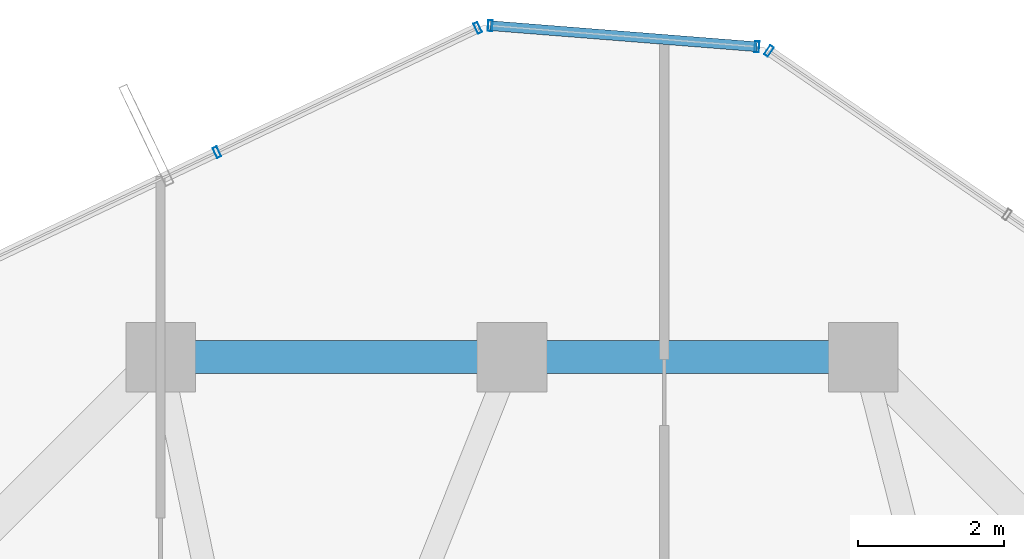
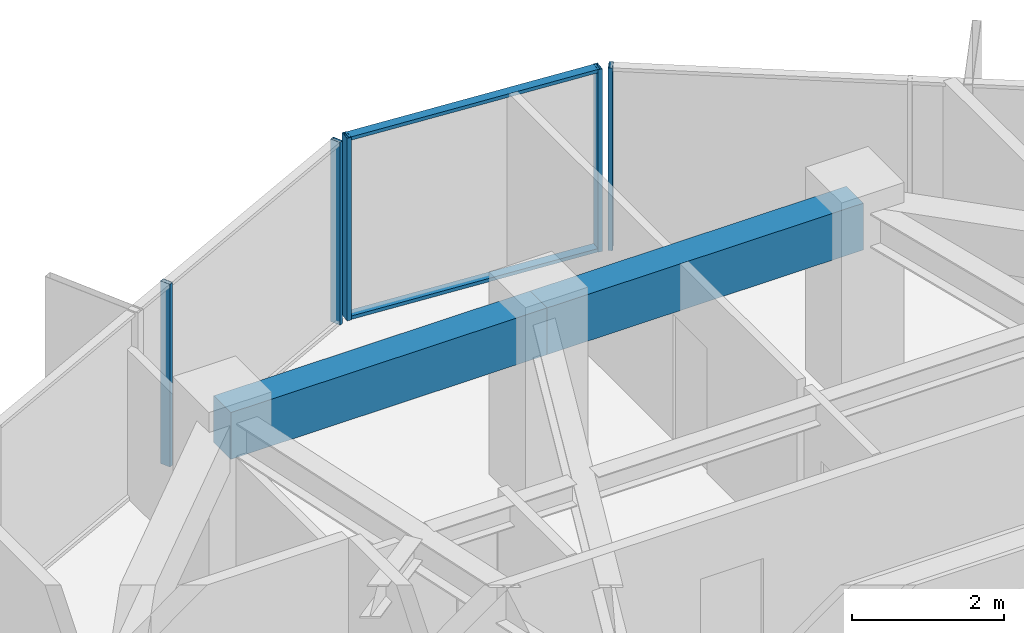
# One storey, part 20 of 29: 7 members, 2 beams, 3 elements without a shape of their own.
"""IFC4 building model written with IfcOpenShell, lengths in metres."""

from ifc_helpers import new_model, si_unit, direction, frame, origin, origin_2d, place, context, subcontext, project, spatial, rectangle, hollow_rectangle, extrude, source, transform, mapped, material, layer, layer_set, material_profile, profile_set, type_object, element, aggregate, save


model = new_model("IFC4")

# Units and contexts
model_context = context("Model", 3, precision=1e-05, world=origin(), true_north=direction((0.0, 1.0)))
body_context = subcontext(model_context, "Body", "Model", "MODEL_VIEW")
ifc_project = project(units=[si_unit("LENGTHUNIT", "METRE"), si_unit("AREAUNIT", "SQUARE_METRE"), si_unit("VOLUMEUNIT", "CUBIC_METRE"), si_unit("PLANEANGLEUNIT", "RADIAN"), si_unit("MASSUNIT", "GRAM", prefix="KILO")], contexts=[model_context])

# Site, building, storey
site_placement = place(None, origin())
site = spatial("IfcSite", under=ifc_project, at=site_placement, CompositionType="ELEMENT")
building_placement = place(site_placement, origin())
building = spatial("IfcBuilding", under=site, at=building_placement, Name="Veraguas Prism Commons", CompositionType="ELEMENT")
storey_placement = place(building_placement, frame((0.0, 0.0, 222.14990234375)))
storey = spatial("IfcBuildingStorey", under=building, at=storey_placement, Name="L63", CompositionType="ELEMENT", Elevation=222.14990234375)

# Beams
ifc_material_1 = material(Name="Concrete C50/60", Category="concrete")
ifc_material_profile_1 = material_profile(ifc_material_1, rectangle(XDim=0.449951171875, YDim=0.75, at=origin_2d()), Name="RC450X750")
ifc_profile_set_1 = profile_set([ifc_material_profile_1], Name="Concrete C50/60")
beam_type = type_object("IfcBeamType", Name="Perimeter Spandrel Upper RC 450x750", PredefinedType="SPANDREL", material=ifc_profile_set_1)
for number, where, z_axis, x_axis, name in (
    (1, (28.800048828125, 38.89990234375, 2.55517578125), (-1.0, 0.0, 0.0), (0.0, -1.0, 0.0), "Perimeter Spandrel Beam L63-SP04"),
    (2, (24.0, 38.89990234375, 2.55517578125), (-1.0, 0.0, 0.0), (0.0, -1.0, 0.0), "Perimeter Spandrel Beam L63-SP05"),
):
    element("IfcBeam", number, at=place(storey_placement, frame(where, z_axis=z_axis, x_axis=x_axis)), inside=storey, type_object=beam_type, Name=name, PredefinedType="SPANDREL", context=body_context, shape_type="SweptSolid", body=[
        extrude(rectangle(XDim=0.449951171875, YDim=0.75, at=origin_2d()), origin(), (0.0, 0.0, 1.0), 4.800048828125),
    ])

# Curtain wall, members
ifc_material_2 = material(Name="Anodised aluminium EN AW-6063 T6", Category="aluminium")
ifc_layer = layer(ifc_material_2, 0.14990234375, Name="Unitised Flush Curtain Wall Zone 3", Category="aluminium")
ifc_layer_set = layer_set([ifc_layer], Name="Anodised aluminium EN AW-6063 T6")
curtain_wall_type = type_object("IfcCurtainWallType", Name="Unitised Flush Curtain Wall Zone 3", PredefinedType="NOTDEFINED", material=ifc_layer_set)
curtain_wall_1_placement = place(storey_placement, origin())
curtain_wall_1 = element("IfcCurtainWall", 3, at=curtain_wall_1_placement, inside=storey, type_object=curtain_wall_type, Name="Chamfer Curtain Wall L63-C2", PredefinedType="NOTDEFINED")
ifc_material_profile_2 = material_profile(ifc_material_2, hollow_rectangle(XDim=0.054931640625, YDim=0.135009765625, WallThickness=0.0029296875, at=origin_2d()), Name="AL55X135X3")
ifc_profile_set_2 = profile_set([ifc_material_profile_2], Name="Anodised aluminium EN AW-6063 T6")
member_type_1 = type_object("IfcMemberType", Name="Curtain Wall Transom Standard AL 55x135x3", PredefinedType="USERDEFINED", material=ifc_profile_set_2)
shared_shape_1 = source(origin(), body_context, "Body", "SweptSolid", [
    extrude(hollow_rectangle(XDim=0.054931640625, YDim=0.135009765625, WallThickness=0.0029296875, at=origin_2d()), origin(), (0.0, 0.0, 1.0), 3.654541015625),
])
member_1_placement = place(storey_placement, frame((27.345947265625, 43.138916015625, 0.027587890625), z_axis=(-0.996887933068, 0.07883177597, 0.0), x_axis=(0.0, 0.0, 1.0)))
member_1 = element("IfcMember", 4, at=member_1_placement, type_object=member_type_1, Name="CW-Z3 Transom 1", ObjectType="TRANSOM", PredefinedType="USERDEFINED", context=body_context, shape_type="MappedRepresentation", body=[
    mapped(shared_shape_1, transform((0.0, 0.0, 0.0), scale=1.0)),
])
member_2_placement = place(storey_placement, frame((27.345947265625, 43.138916015625, 2.902587890625), z_axis=(-0.996887933068, 0.07883177597, 0.0), x_axis=(0.0, 0.0, 1.0)))
member_2 = element("IfcMember", 5, at=member_2_placement, type_object=member_type_1, Name="CW-Z3 Transom 2", ObjectType="TRANSOM", PredefinedType="USERDEFINED", context=body_context, shape_type="MappedRepresentation", body=[
    mapped(shared_shape_1, transform((0.0, 0.0, 0.0), scale=1.0)),
])

# Curtain wall, member
curtain_wall_2_placement = place(storey_placement, origin())
curtain_wall_2 = element("IfcCurtainWall", 6, at=curtain_wall_2_placement, inside=storey, type_object=curtain_wall_type, Name="Tower Facade Curtain Wall L63-F1", PredefinedType="NOTDEFINED")
ifc_material_profile_3 = material_profile(ifc_material_2, hollow_rectangle(XDim=0.06005859375, YDim=0.14990234375, WallThickness=0.0029296875, at=origin_2d()), Name="AL60X150X3")
ifc_profile_set_3 = profile_set([ifc_material_profile_3], Name="Anodised aluminium EN AW-6063 T6")
member_type_2 = type_object("IfcMemberType", Name="Curtain Wall Mullion Upper AL 60x150x3", PredefinedType="MULLION", material=ifc_profile_set_3)
shared_shape_2 = source(origin(), body_context, "Body", "SweptSolid", [
    extrude(hollow_rectangle(XDim=0.06005859375, YDim=0.14990234375, WallThickness=0.0029296875, at=origin_2d()), origin(), (0.0, 0.0, 1.0), 2.93017578125),
])
member_3_placement = place(storey_placement, frame((27.509765625, 43.080810546875, 0.0), z_axis=(0.0, 0.0, 1.0), x_axis=(-0.823926447203, 0.56669675277, 0.0)))
member_3 = element("IfcMember", 7, at=member_3_placement, type_object=member_type_2, Name="CW-Z3 Mullion 5", PredefinedType="MULLION", context=body_context, shape_type="MappedRepresentation", body=[
    mapped(shared_shape_2, transform((0.0, 0.0, 0.0), scale=1.0)),
])
aggregate(curtain_wall_2, [member_3])

# Curtain wall, members
curtain_wall_3_placement = place(storey_placement, origin())
curtain_wall_3 = element("IfcCurtainWall", 8, at=curtain_wall_3_placement, inside=storey, type_object=curtain_wall_type, Name="Tower Facade Curtain Wall L63-F2", PredefinedType="NOTDEFINED")
member_4_placement = place(storey_placement, frame((23.53173828125, 43.395263671875, 0.0), z_axis=(0.0, 0.0, 1.0), x_axis=(-0.902733253567, -0.430200735593, 0.0)))
member_4 = element("IfcMember", 9, at=member_4_placement, type_object=member_type_2, Name="CW-Z3 Mullion 1", PredefinedType="MULLION", context=body_context, shape_type="MappedRepresentation", body=[
    mapped(shared_shape_2, transform((0.0, 0.0, 0.0), scale=1.0)),
])
member_5_placement = place(storey_placement, frame((19.969970703125, 41.697998046875, 0.0), z_axis=(0.0, 0.0, 1.0), x_axis=(-0.902733253567, -0.430200735593, 0.0)))
member_5 = element("IfcMember", 10, at=member_5_placement, type_object=member_type_2, Name="CW-Z3 Mullion 2", PredefinedType="MULLION", context=body_context, shape_type="MappedRepresentation", body=[
    mapped(shared_shape_2, transform((0.0, 0.0, 0.0), scale=1.0)),
])
aggregate(curtain_wall_3, [member_4, member_5])

# Member
member_6_placement = place(storey_placement, frame((27.345947265625, 43.138916015625, 0.0), z_axis=(0.0, 0.0, 1.0), x_axis=(-0.99689043576, 0.078800121131, 0.0)))
member_6 = element("IfcMember", 11, at=member_6_placement, type_object=member_type_2, Name="CW-Z3 Mullion 1", PredefinedType="MULLION", context=body_context, shape_type="MappedRepresentation", body=[
    mapped(shared_shape_2, transform((0.0, 0.0, 0.0), scale=1.0)),
])

member_7_placement = place(storey_placement, frame((23.702880859375, 43.427001953125, 0.0), z_axis=(0.0, 0.0, 1.0), x_axis=(-0.99689043576, 0.078800121131, 0.0)))
member_7 = element("IfcMember", 12, at=member_7_placement, type_object=member_type_2, Name="CW-Z3 Mullion 2", PredefinedType="MULLION", context=body_context, shape_type="MappedRepresentation", body=[
    mapped(shared_shape_2, transform((0.0, 0.0, 0.0), scale=1.0)),
])

aggregate(curtain_wall_1, [member_6, member_7, member_1, member_2])

save(model, "model.ifc")
